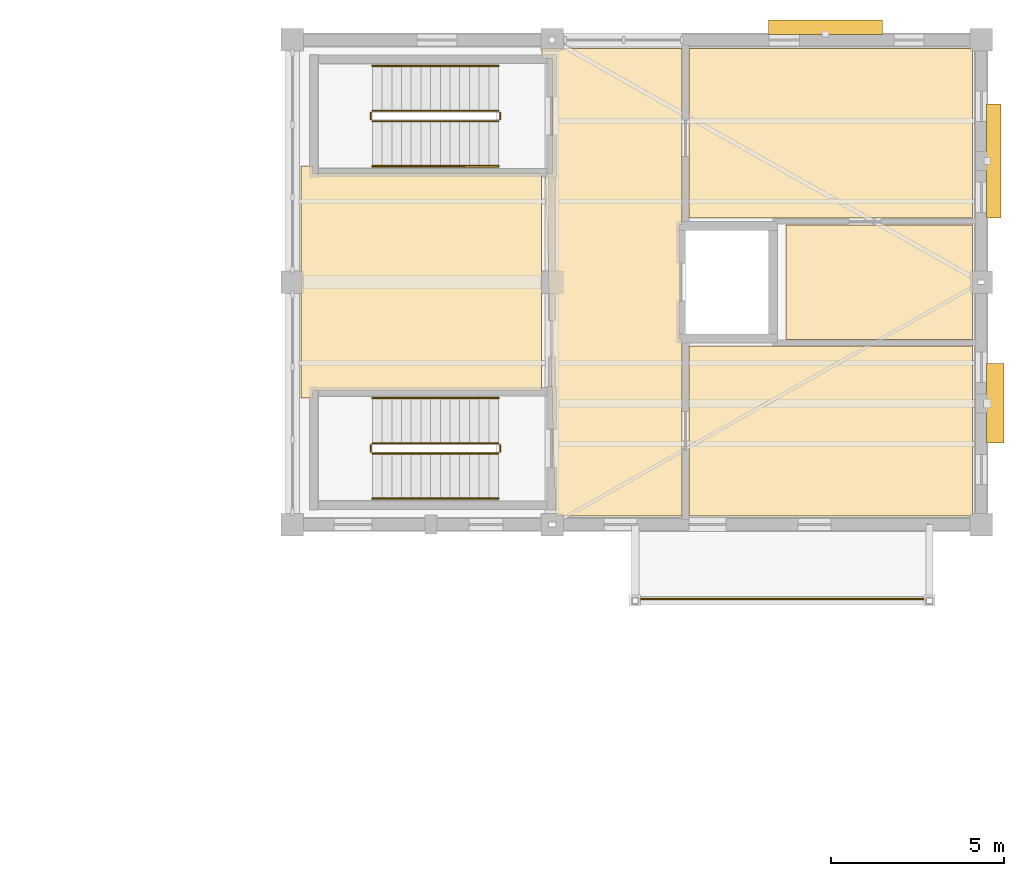
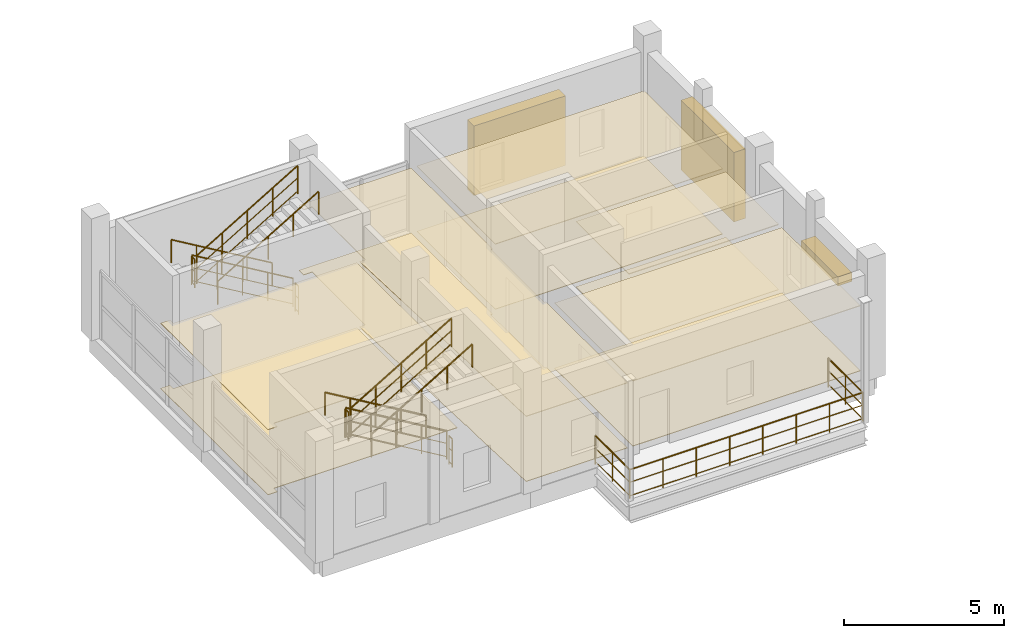
# One storey, part 40 of 40: 13 railings, 10 coverings, 3 shading devices.
"""IFC4 building model written with IfcOpenShell, lengths in metres."""

from ifc_helpers import new_model, si_unit, direction, frame, origin, origin_2d, place, context, subcontext, project, spatial, polyline, rectangle, circle, outline, extrude, material, layer, layer_set, type_object, element, save


model = new_model("IFC4")

# Units and contexts
model_context = context("Model", 3, precision=1e-05, world=origin(), true_north=direction((0.0, 1.0)))
body_context = subcontext(model_context, "Body", "Model", "MODEL_VIEW")
ifc_project = project(units=[si_unit("LENGTHUNIT", "METRE"), si_unit("AREAUNIT", "SQUARE_METRE"), si_unit("VOLUMEUNIT", "CUBIC_METRE"), si_unit("PLANEANGLEUNIT", "RADIAN"), si_unit("MASSUNIT", "GRAM", prefix="KILO")], contexts=[model_context])

# Site, building, storey
site_placement = place(None, origin())
site = spatial("IfcSite", under=ifc_project, at=site_placement, CompositionType="ELEMENT")
building_placement = place(site_placement, origin())
building = spatial("IfcBuilding", under=site, at=building_placement, Name="Trellovar Central Fire Station", CompositionType="ELEMENT")
storey_placement = place(building_placement, frame((0.0, 0.0, 12.75)))
storey = spatial("IfcBuildingStorey", under=building, at=storey_placement, Name="L04", CompositionType="ELEMENT", Elevation=12.75)

# Coverings
ifc_material_1 = material(Name="Perforated acoustic mineral fiber ceiling tile", Category="mineral")
ifc_layer_1 = layer(ifc_material_1, 0.02490234375)
ifc_layer_set_1 = layer_set([ifc_layer_1], Name="Perforated acoustic mineral fiber ceiling tile")
covering_type_1 = type_object("IfcCoveringType", Name="COV-CLG1", PredefinedType="CEILING", material=ifc_layer_set_1)
covering_1_placement = place(storey_placement, frame((0.0, 0.0, 2.47998046875)))
element("IfcCovering", 1, at=covering_1_placement, inside=storey, type_object=covering_type_1, Name="Drill Tower Level Four Lobby suspended ceiling", PredefinedType="CEILING", context=body_context, shape_type="SweptSolid", body=[
    extrude(outline(polyline([(148.610107421875, 72.4599609375), (148.30908203125, 72.4599609375), (148.300048828125, 72.75), (152.35009765625, 72.75), (152.35009765625, 67.659912109375), (152.2900390625, 67.659912109375), (152.2900390625, 64.340087890625), (152.35009765625, 64.340087890625), (152.35009765625, 59.25), (148.699951171875, 59.25), (148.610107421875, 62.287109375), (148.610107421875, 62.860107421875), (148.593017578125, 62.860107421875), (148.406982421875, 69.139892578125), (148.610107421875, 69.139892578125), (148.610107421875, 72.4599609375)])), origin(), (0.0, 0.0, 1.0), 0.02490234375),
])
covering_2_placement = place(storey_placement, frame((0.0, 0.0, 2.47998046875)))
element("IfcCovering", 2, at=covering_2_placement, inside=storey, type_object=covering_type_1, Name="Sprinkler Riser and Valve Lab suspended ceiling", PredefinedType="CEILING", context=body_context, shape_type="SweptSolid", body=[
    extrude(outline(polyline([(141.68994140625, 62.860107421875), (141.68994140625, 62.64990234375), (141.35009765625, 62.64990234375), (141.35009765625, 69.35009765625), (141.68994140625, 69.35009765625), (141.68994140625, 69.139892578125), (148.300048828125, 69.139892578125), (148.300048828125, 62.860107421875), (141.68994140625, 62.860107421875)])), origin(), (0.0, 0.0, 1.0), 0.02490234375),
])
covering_3_placement = place(storey_placement, frame((0.0, 0.0, 2.47998046875)))
element("IfcCovering", 3, at=covering_3_placement, inside=storey, type_object=covering_type_1, Name="Ladder Evolution Rappel Deck L04 suspended ceiling", PredefinedType="CEILING", context=body_context, shape_type="SweptSolid", body=[
    extrude(outline(polyline([(160.75, 64.14990234375), (160.75, 59.25), (152.550048828125, 59.25), (152.550048828125, 64.14990234375), (160.75, 64.14990234375)])), origin(), (0.0, 0.0, 1.0), 0.02490234375),
])
covering_4_placement = place(storey_placement, frame((0.0, 0.0, 2.47998046875)))
element("IfcCovering", 4, at=covering_4_placement, inside=storey, type_object=covering_type_1, Name="Breathing Air Cascade Refill Station suspended ceiling", PredefinedType="CEILING", context=body_context, shape_type="SweptSolid", body=[
    extrude(outline(polyline([(160.75, 72.75), (160.75, 67.85009765625), (152.550048828125, 67.85009765625), (152.550048828125, 72.75), (160.75, 72.75)])), origin(), (0.0, 0.0, 1.0), 0.02490234375),
])
ifc_material_2 = material(Name="Moisture-resistant gypsum ceiling board", Category="gypsum")
ifc_layer_2 = layer(ifc_material_2, 0.030029296875)
ifc_layer_set_2 = layer_set([ifc_layer_2], Name="Moisture-resistant gypsum ceiling board")
covering_type_2 = type_object("IfcCoveringType", Name="COV-CLG2", PredefinedType="CEILING", material=ifc_layer_set_2)
covering_5_placement = place(storey_placement, frame((0.0, 0.0, 2.47998046875)))
element("IfcCovering", 5, at=covering_5_placement, inside=storey, type_object=covering_type_2, Name="Tower Level Four Restroom suspended ceiling", PredefinedType="CEILING", context=body_context, shape_type="SweptSolid", body=[
    extrude(outline(polyline([(160.75, 67.64990234375), (160.75, 64.35009765625), (155.35009765625, 64.35009765625), (155.35009765625, 67.64990234375), (160.75, 67.64990234375)])), origin(), (0.0, 0.0, 1.0), 0.030029296875),
])
ifc_material_3 = material(Name="Vitrified Catalan ceramic floor tile", Category="masonry")
ifc_layer_3 = layer(ifc_material_3, 0.01806640625)
ifc_layer_set_3 = layer_set([ifc_layer_3], Name="Vitrified Catalan ceramic floor tile")
covering_type_3 = type_object("IfcCoveringType", Name="COV-FLR2", PredefinedType="FLOORING", material=ifc_layer_set_3)
covering_6_placement = place(storey_placement, origin())
element("IfcCovering", 6, at=covering_6_placement, inside=storey, type_object=covering_type_3, Name="Drill Tower Level Four Lobby floor finish", PredefinedType="FLOORING", context=body_context, shape_type="SweptSolid", body=[
    extrude(outline(polyline([(148.610107421875, 72.4599609375), (148.30908203125, 72.4599609375), (148.300048828125, 72.75), (152.35009765625, 72.75), (152.35009765625, 67.659912109375), (152.2900390625, 67.659912109375), (152.2900390625, 64.340087890625), (152.35009765625, 64.340087890625), (152.35009765625, 59.25), (148.699951171875, 59.25), (148.610107421875, 62.287109375), (148.610107421875, 62.860107421875), (148.593017578125, 62.860107421875), (148.406982421875, 69.139892578125), (148.610107421875, 69.139892578125), (148.610107421875, 72.4599609375)])), origin(), (0.0, 0.0, 1.0), 0.01806640625),
])
covering_7_placement = place(storey_placement, origin())
element("IfcCovering", 7, at=covering_7_placement, inside=storey, type_object=covering_type_3, Name="Breathing Air Cascade Refill Station floor finish", PredefinedType="FLOORING", context=body_context, shape_type="SweptSolid", body=[
    extrude(outline(polyline([(160.75, 72.75), (160.75, 67.85009765625), (152.550048828125, 67.85009765625), (152.550048828125, 72.75), (160.75, 72.75)])), origin(), (0.0, 0.0, 1.0), 0.01806640625),
])
covering_8_placement = place(storey_placement, origin())
element("IfcCovering", 8, at=covering_8_placement, inside=storey, type_object=covering_type_3, Name="Tower Level Four Restroom floor finish", PredefinedType="FLOORING", context=body_context, shape_type="SweptSolid", body=[
    extrude(outline(polyline([(160.75, 67.64990234375), (160.75, 64.35009765625), (155.35009765625, 64.35009765625), (155.35009765625, 67.64990234375), (160.75, 67.64990234375)])), origin(), (0.0, 0.0, 1.0), 0.01806640625),
])
ifc_material_4 = material(Name="Resilient athletic impact rubber flooring", Category="finish")
ifc_layer_4 = layer(ifc_material_4, 0.02001953125)
ifc_layer_set_4 = layer_set([ifc_layer_4], Name="Resilient athletic impact rubber flooring")
covering_type_4 = type_object("IfcCoveringType", Name="COV-FLR3", PredefinedType="FLOORING", material=ifc_layer_set_4)
covering_9_placement = place(storey_placement, origin())
element("IfcCovering", 9, at=covering_9_placement, inside=storey, type_object=covering_type_4, Name="Sprinkler Riser and Valve Lab floor finish", PredefinedType="FLOORING", context=body_context, shape_type="SweptSolid", body=[
    extrude(outline(polyline([(141.68994140625, 62.860107421875), (141.68994140625, 62.64990234375), (141.35009765625, 62.64990234375), (141.35009765625, 69.35009765625), (141.68994140625, 69.35009765625), (141.68994140625, 69.139892578125), (148.300048828125, 69.139892578125), (148.300048828125, 62.860107421875), (141.68994140625, 62.860107421875)])), origin(), (0.0, 0.0, 1.0), 0.02001953125),
])
covering_10_placement = place(storey_placement, origin())
element("IfcCovering", 10, at=covering_10_placement, inside=storey, type_object=covering_type_4, Name="Ladder Evolution Rappel Deck L04 floor finish", PredefinedType="FLOORING", context=body_context, shape_type="SweptSolid", body=[
    extrude(outline(polyline([(160.75, 64.14990234375), (160.75, 59.25), (152.550048828125, 59.25), (152.550048828125, 64.14990234375), (160.75, 64.14990234375)])), origin(), (0.0, 0.0, 1.0), 0.02001953125),
])

# Railings
ifc_material_5 = material(Name="Patina bronze wrought metalwork", Category="metal")
ifc_layer_5 = layer(ifc_material_5, 0.06005859375)
ifc_layer_set_5 = layer_set([ifc_layer_5], Name="Patina bronze wrought metalwork")
railing_type_1 = type_object("IfcRailingType", Name="RL-GUARD1", PredefinedType="GUARDRAIL", material=ifc_layer_set_5)
railing_1_placement = place(storey_placement, frame((151.050048828125, 59.0, 0.0)))
element("IfcRailing", 11, at=railing_1_placement, inside=storey, type_object=railing_type_1, Name="V2 L04 rappel evolution balcony guardrail", PredefinedType="GUARDRAIL", context=body_context, shape_type="SweptSolid", body=[
    extrude(circle(Radius=0.02392578125, at=origin_2d()), frame((0.0, 0.0, 1.09619140625), z_axis=(0.0, -1.0, 0.0), x_axis=(1.0, 0.0, 0.0)), (0.0, 0.0, 1.0), 2.14990234375),
    extrude(circle(Radius=0.015625, at=origin_2d()), frame((0.0, 0.0, 0.10009765625), z_axis=(0.0, -1.0, 0.0), x_axis=(1.0, 0.0, 0.0)), (0.0, 0.0, 1.0), 2.14990234375),
    extrude(circle(Radius=0.015625, at=origin_2d()), frame((0.0, 0.0, 0.615966796875), z_axis=(0.0, -1.0, 0.0), x_axis=(1.0, 0.0, 0.0)), (0.0, 0.0, 1.0), 2.14990234375),
    extrude(circle(Radius=0.02392578125, at=origin_2d()), frame((0.0, -2.14990234375, 1.09619140625), z_axis=(1.0, 0.0, 0.0), x_axis=(0.0, 1.0, 0.0)), (0.0, 0.0, 1.0), 8.39990234375),
    extrude(circle(Radius=0.015625, at=origin_2d()), frame((0.0, -2.14990234375, 0.10009765625), z_axis=(1.0, 0.0, 0.0), x_axis=(0.0, 1.0, 0.0)), (0.0, 0.0, 1.0), 8.39990234375),
    extrude(circle(Radius=0.015625, at=origin_2d()), frame((0.0, -2.14990234375, 0.615966796875), z_axis=(1.0, 0.0, 0.0), x_axis=(0.0, 1.0, 0.0)), (0.0, 0.0, 1.0), 8.39990234375),
    extrude(circle(Radius=0.02392578125, at=origin_2d()), frame((8.39990234375, -2.14990234375, 1.09619140625), z_axis=(0.0, 1.0, 0.0), x_axis=(-1.0, 0.0, 0.0)), (0.0, 0.0, 1.0), 2.14990234375),
    extrude(circle(Radius=0.015625, at=origin_2d()), frame((8.39990234375, -2.14990234375, 0.10009765625), z_axis=(0.0, 1.0, 0.0), x_axis=(-1.0, 0.0, 0.0)), (0.0, 0.0, 1.0), 2.14990234375),
    extrude(circle(Radius=0.015625, at=origin_2d()), frame((8.39990234375, -2.14990234375, 0.615966796875), z_axis=(0.0, 1.0, 0.0), x_axis=(-1.0, 0.0, 0.0)), (0.0, 0.0, 1.0), 2.14990234375),
    extrude(circle(Radius=0.02099609375, at=origin_2d()), origin(), (0.0, 0.0, 1.0), 1.072021484375),
    extrude(circle(Radius=0.02099609375, at=origin_2d()), frame((0.0, -1.074951171875, 0.0)), (0.0, 0.0, 1.0), 1.072021484375),
    extrude(circle(Radius=0.02099609375, at=origin_2d()), frame((0.0, -2.14990234375, 0.0)), (0.0, 0.0, 1.0), 1.072021484375),
    extrude(circle(Radius=0.02099609375, at=origin_2d()), frame((1.199951171875, -2.14990234375, 0.0)), (0.0, 0.0, 1.0), 1.072021484375),
    extrude(circle(Radius=0.02099609375, at=origin_2d()), frame((2.39990234375, -2.14990234375, 0.0)), (0.0, 0.0, 1.0), 1.072021484375),
    extrude(circle(Radius=0.02099609375, at=origin_2d()), frame((3.599853515625, -2.14990234375, 0.0)), (0.0, 0.0, 1.0), 1.072021484375),
    extrude(circle(Radius=0.02099609375, at=origin_2d()), frame((4.800048828125, -2.14990234375, 0.0)), (0.0, 0.0, 1.0), 1.072021484375),
    extrude(circle(Radius=0.02099609375, at=origin_2d()), frame((6.0, -2.14990234375, 0.0)), (0.0, 0.0, 1.0), 1.072021484375),
    extrude(circle(Radius=0.02099609375, at=origin_2d()), frame((7.199951171875, -2.14990234375, 0.0)), (0.0, 0.0, 1.0), 1.072021484375),
    extrude(circle(Radius=0.02099609375, at=origin_2d()), frame((8.39990234375, -2.14990234375, 0.0)), (0.0, 0.0, 1.0), 1.072021484375),
    extrude(circle(Radius=0.02099609375, at=origin_2d()), frame((8.39990234375, -1.074951171875, 0.0)), (0.0, 0.0, 1.0), 1.072021484375),
    extrude(circle(Radius=0.02099609375, at=origin_2d()), frame((8.39990234375, 0.0, 0.0)), (0.0, 0.0, 1.0), 1.072021484375),
])
ifc_material_6 = material(Name="Patina bronze wrought metalwork", Category="metal")
ifc_layer_6 = layer(ifc_material_6, 0.048095703125)
ifc_layer_set_6 = layer_set([ifc_layer_6], Name="Patina bronze wrought metalwork")
railing_type_2 = type_object("IfcRailingType", Name="RL-STAIR", PredefinedType="HANDRAIL", material=ifc_layer_set_6)
railing_2_placement = place(storey_placement, frame((147.050048828125, 62.64990234375, 0.166015625)))
element("IfcRailing", 12, at=railing_2_placement, inside=storey, type_object=railing_type_2, Name="L04 ST-05 stair handrail 1", PredefinedType="HANDRAIL", context=body_context, shape_type="SweptSolid", body=[
    extrude(circle(Radius=0.02392578125, at=origin_2d()), frame((0.0, 0.0, 0.8759765625), z_axis=(-0.860103130531, 0.0, 0.510120186672), x_axis=(0.0, -1.0, 0.0)), (0.0, 0.0, 1.0), 4.232177734375),
    extrude(circle(Radius=0.02099609375, at=origin_2d()), origin(), (0.0, 0.0, 1.0), 0.851806640625),
    extrude(circle(Radius=0.02099609375, at=origin_2d()), frame((-0.91015625, 0.0, 0.539794921875)), (0.0, 0.0, 1.0), 0.851806640625),
    extrude(circle(Radius=0.02099609375, at=origin_2d()), frame((-1.820068359375, 0.0, 1.07958984375)), (0.0, 0.0, 1.0), 0.851806640625),
    extrude(circle(Radius=0.02099609375, at=origin_2d()), frame((-2.72998046875, 0.0, 1.619140625)), (0.0, 0.0, 1.0), 0.851806640625),
    extrude(circle(Radius=0.02099609375, at=origin_2d()), frame((-3.64013671875, 0.0, 2.158935546875)), (0.0, 0.0, 1.0), 0.851806640625),
])
railing_3_placement = place(storey_placement, frame((143.409912109375, 59.75, 2.490966796875)))
element("IfcRailing", 13, at=railing_3_placement, inside=storey, type_object=railing_type_2, Name="L04 ST-05 stair handrail 2", PredefinedType="HANDRAIL", context=body_context, shape_type="SweptSolid", body=[
    extrude(circle(Radius=0.02392578125, at=origin_2d()), frame((0.0, 0.0, 0.8759765625), z_axis=(0.860103130531, 0.0, 0.510120186672), x_axis=(0.0, 1.0, 0.0)), (0.0, 0.0, 1.0), 4.232177734375),
    extrude(circle(Radius=0.02099609375, at=origin_2d()), origin(), (0.0, 0.0, 1.0), 0.851806640625),
    extrude(circle(Radius=0.02099609375, at=origin_2d()), frame((0.91015625, 0.0, 0.539794921875)), (0.0, 0.0, 1.0), 0.851806640625),
    extrude(circle(Radius=0.02099609375, at=origin_2d()), frame((1.820068359375, 0.0, 1.07958984375)), (0.0, 0.0, 1.0), 0.851806640625),
    extrude(circle(Radius=0.02099609375, at=origin_2d()), frame((2.72998046875, 0.0, 1.619140625)), (0.0, 0.0, 1.0), 0.851806640625),
    extrude(circle(Radius=0.02099609375, at=origin_2d()), frame((3.64013671875, 0.0, 2.158935546875)), (0.0, 0.0, 1.0), 0.851806640625),
])
railing_4_placement = place(storey_placement, frame((147.050048828125, 72.25, 0.166015625)))
element("IfcRailing", 14, at=railing_4_placement, inside=storey, type_object=railing_type_2, Name="L04 ST-06 stair handrail 1", PredefinedType="HANDRAIL", context=body_context, shape_type="SweptSolid", body=[
    extrude(circle(Radius=0.02392578125, at=origin_2d()), frame((0.0, 0.0, 0.8759765625), z_axis=(-0.860103130531, 0.0, 0.510120186672), x_axis=(0.0, -1.0, 0.0)), (0.0, 0.0, 1.0), 4.232177734375),
    extrude(circle(Radius=0.02099609375, at=origin_2d()), origin(), (0.0, 0.0, 1.0), 0.851806640625),
    extrude(circle(Radius=0.02099609375, at=origin_2d()), frame((-0.91015625, 0.0, 0.539794921875)), (0.0, 0.0, 1.0), 0.851806640625),
    extrude(circle(Radius=0.02099609375, at=origin_2d()), frame((-1.820068359375, 0.0, 1.07958984375)), (0.0, 0.0, 1.0), 0.851806640625),
    extrude(circle(Radius=0.02099609375, at=origin_2d()), frame((-2.72998046875, 0.0, 1.619140625)), (0.0, 0.0, 1.0), 0.851806640625),
    extrude(circle(Radius=0.02099609375, at=origin_2d()), frame((-3.64013671875, 0.0, 2.158935546875)), (0.0, 0.0, 1.0), 0.851806640625),
])
railing_5_placement = place(storey_placement, frame((143.409912109375, 69.35009765625, 2.490966796875)))
element("IfcRailing", 15, at=railing_5_placement, inside=storey, type_object=railing_type_2, Name="L04 ST-06 stair handrail 2", PredefinedType="HANDRAIL", context=body_context, shape_type="SweptSolid", body=[
    extrude(circle(Radius=0.02392578125, at=origin_2d()), frame((0.0, 0.0, 0.8759765625), z_axis=(0.860103130531, 0.0, 0.510120186672), x_axis=(0.0, 1.0, 0.0)), (0.0, 0.0, 1.0), 4.232177734375),
    extrude(circle(Radius=0.02099609375, at=origin_2d()), origin(), (0.0, 0.0, 1.0), 0.851806640625),
    extrude(circle(Radius=0.02099609375, at=origin_2d()), frame((0.91015625, 0.0, 0.539794921875)), (0.0, 0.0, 1.0), 0.851806640625),
    extrude(circle(Radius=0.02099609375, at=origin_2d()), frame((1.820068359375, 0.0, 1.07958984375)), (0.0, 0.0, 1.0), 0.851806640625),
    extrude(circle(Radius=0.02099609375, at=origin_2d()), frame((2.72998046875, 0.0, 1.619140625)), (0.0, 0.0, 1.0), 0.851806640625),
    extrude(circle(Radius=0.02099609375, at=origin_2d()), frame((3.64013671875, 0.0, 2.158935546875)), (0.0, 0.0, 1.0), 0.851806640625),
])
ifc_material_7 = material(Name="Patina bronze wrought metalwork", Category="metal")
ifc_layer_7 = layer(ifc_material_7, 0.050048828125)
ifc_layer_set_7 = layer_set([ifc_layer_7], Name="Patina bronze wrought metalwork")
railing_type_3 = type_object("IfcRailingType", Name="RL-STGUARD", PredefinedType="GUARDRAIL", material=ifc_layer_set_7)
railing_6_placement = place(storey_placement, frame((147.050048828125, 61.35009765625, 0.166015625)))
element("IfcRailing", 16, at=railing_6_placement, inside=storey, type_object=railing_type_3, Name="L04 ST-05 stair guard 1", PredefinedType="GUARDRAIL", context=body_context, shape_type="SweptSolid", body=[
    extrude(circle(Radius=0.02392578125, at=origin_2d()), frame((0.0, 0.0, 1.076171875), z_axis=(-0.860103130531, 0.0, 0.510120186672), x_axis=(0.0, -1.0, 0.0)), (0.0, 0.0, 1.0), 4.232177734375),
    extrude(circle(Radius=0.015625, at=origin_2d()), frame((0.0, 0.0, 0.10009765625), z_axis=(-0.860103130531, 0.0, 0.510120186672), x_axis=(0.0, -1.0, 0.0)), (0.0, 0.0, 1.0), 4.232177734375),
    extrude(circle(Radius=0.015625, at=origin_2d()), frame((0.0, 0.0, 0.60498046875), z_axis=(-0.860103130531, 0.0, 0.510120186672), x_axis=(0.0, -1.0, 0.0)), (0.0, 0.0, 1.0), 4.232177734375),
    extrude(circle(Radius=0.02099609375, at=origin_2d()), origin(), (0.0, 0.0, 1.0), 1.052001953125),
    extrude(circle(Radius=0.02099609375, at=origin_2d()), frame((-0.91015625, 0.0, 0.539794921875)), (0.0, 0.0, 1.0), 1.052001953125),
    extrude(circle(Radius=0.02099609375, at=origin_2d()), frame((-1.820068359375, 0.0, 1.07958984375)), (0.0, 0.0, 1.0), 1.052001953125),
    extrude(circle(Radius=0.02099609375, at=origin_2d()), frame((-2.72998046875, 0.0, 1.619140625)), (0.0, 0.0, 1.0), 1.052001953125),
    extrude(circle(Radius=0.02099609375, at=origin_2d()), frame((-3.64013671875, 0.0, 2.158935546875)), (0.0, 0.0, 1.0), 1.052001953125),
])
railing_7_placement = place(storey_placement, frame((143.360107421875, 61.300048828125, 2.324951171875)))
element("IfcRailing", 17, at=railing_7_placement, inside=storey, type_object=railing_type_3, Name="L04 ST-05 stair guard 2", PredefinedType="GUARDRAIL", context=body_context, shape_type="SweptSolid", body=[
    extrude(circle(Radius=0.02392578125, at=origin_2d()), frame((0.0, 0.0, 1.076171875), z_axis=(0.0, -1.0, 0.0), x_axis=(1.0, 0.0, 0.0)), (0.0, 0.0, 1.0), 0.199951171875),
    extrude(circle(Radius=0.015625, at=origin_2d()), frame((0.0, 0.0, 0.10009765625), z_axis=(0.0, -1.0, 0.0), x_axis=(1.0, 0.0, 0.0)), (0.0, 0.0, 1.0), 0.199951171875),
    extrude(circle(Radius=0.015625, at=origin_2d()), frame((0.0, 0.0, 0.60498046875), z_axis=(0.0, -1.0, 0.0), x_axis=(1.0, 0.0, 0.0)), (0.0, 0.0, 1.0), 0.199951171875),
    extrude(circle(Radius=0.02099609375, at=origin_2d()), origin(), (0.0, 0.0, 1.0), 1.052001953125),
    extrude(circle(Radius=0.02099609375, at=origin_2d()), frame((0.0, -0.199951171875, 0.0)), (0.0, 0.0, 1.0), 1.052001953125),
])
railing_8_placement = place(storey_placement, frame((143.409912109375, 61.050048828125, 2.490966796875)))
element("IfcRailing", 18, at=railing_8_placement, inside=storey, type_object=railing_type_3, Name="L04 ST-05 stair guard 3", PredefinedType="GUARDRAIL", context=body_context, shape_type="SweptSolid", body=[
    extrude(circle(Radius=0.02392578125, at=origin_2d()), frame((0.0, 0.0, 1.076171875), z_axis=(0.860103130531, 0.0, 0.510120186672), x_axis=(0.0, 1.0, 0.0)), (0.0, 0.0, 1.0), 4.232177734375),
    extrude(circle(Radius=0.015625, at=origin_2d()), frame((0.0, 0.0, 0.10009765625), z_axis=(0.860103130531, 0.0, 0.510120186672), x_axis=(0.0, 1.0, 0.0)), (0.0, 0.0, 1.0), 4.232177734375),
    extrude(circle(Radius=0.015625, at=origin_2d()), frame((0.0, 0.0, 0.60498046875), z_axis=(0.860103130531, 0.0, 0.510120186672), x_axis=(0.0, 1.0, 0.0)), (0.0, 0.0, 1.0), 4.232177734375),
    extrude(circle(Radius=0.02099609375, at=origin_2d()), origin(), (0.0, 0.0, 1.0), 1.052001953125),
    extrude(circle(Radius=0.02099609375, at=origin_2d()), frame((0.91015625, 0.0, 0.539794921875)), (0.0, 0.0, 1.0), 1.052001953125),
    extrude(circle(Radius=0.02099609375, at=origin_2d()), frame((1.820068359375, 0.0, 1.07958984375)), (0.0, 0.0, 1.0), 1.052001953125),
    extrude(circle(Radius=0.02099609375, at=origin_2d()), frame((2.72998046875, 0.0, 1.619140625)), (0.0, 0.0, 1.0), 1.052001953125),
    extrude(circle(Radius=0.02099609375, at=origin_2d()), frame((3.64013671875, 0.0, 2.158935546875)), (0.0, 0.0, 1.0), 1.052001953125),
])
railing_9_placement = place(storey_placement, frame((147.10009765625, 61.300048828125, 0.0)))
element("IfcRailing", 19, at=railing_9_placement, inside=storey, type_object=railing_type_3, Name="L04 ST-05 stair guard 4", PredefinedType="GUARDRAIL", context=body_context, shape_type="SweptSolid", body=[
    extrude(circle(Radius=0.02392578125, at=origin_2d()), frame((0.0, 0.0, 1.076171875), z_axis=(0.0, -1.0, 0.0), x_axis=(1.0, 0.0, 0.0)), (0.0, 0.0, 1.0), 0.199951171875),
    extrude(circle(Radius=0.015625, at=origin_2d()), frame((0.0, 0.0, 0.10009765625), z_axis=(0.0, -1.0, 0.0), x_axis=(1.0, 0.0, 0.0)), (0.0, 0.0, 1.0), 0.199951171875),
    extrude(circle(Radius=0.015625, at=origin_2d()), frame((0.0, 0.0, 0.60498046875), z_axis=(0.0, -1.0, 0.0), x_axis=(1.0, 0.0, 0.0)), (0.0, 0.0, 1.0), 0.199951171875),
    extrude(circle(Radius=0.02099609375, at=origin_2d()), origin(), (0.0, 0.0, 1.0), 1.052001953125),
    extrude(circle(Radius=0.02099609375, at=origin_2d()), frame((0.0, -0.199951171875, 0.0)), (0.0, 0.0, 1.0), 1.052001953125),
])
railing_10_placement = place(storey_placement, frame((147.050048828125, 70.949951171875, 0.166015625)))
element("IfcRailing", 20, at=railing_10_placement, inside=storey, type_object=railing_type_3, Name="L04 ST-06 stair guard 1", PredefinedType="GUARDRAIL", context=body_context, shape_type="SweptSolid", body=[
    extrude(circle(Radius=0.02392578125, at=origin_2d()), frame((0.0, 0.0, 1.076171875), z_axis=(-0.860103130531, 0.0, 0.510120186672), x_axis=(0.0, -1.0, 0.0)), (0.0, 0.0, 1.0), 4.232177734375),
    extrude(circle(Radius=0.015625, at=origin_2d()), frame((0.0, 0.0, 0.10009765625), z_axis=(-0.860103130531, 0.0, 0.510120186672), x_axis=(0.0, -1.0, 0.0)), (0.0, 0.0, 1.0), 4.232177734375),
    extrude(circle(Radius=0.015625, at=origin_2d()), frame((0.0, 0.0, 0.60498046875), z_axis=(-0.860103130531, 0.0, 0.510120186672), x_axis=(0.0, -1.0, 0.0)), (0.0, 0.0, 1.0), 4.232177734375),
    extrude(circle(Radius=0.02099609375, at=origin_2d()), origin(), (0.0, 0.0, 1.0), 1.052001953125),
    extrude(circle(Radius=0.02099609375, at=origin_2d()), frame((-0.91015625, 0.0, 0.539794921875)), (0.0, 0.0, 1.0), 1.052001953125),
    extrude(circle(Radius=0.02099609375, at=origin_2d()), frame((-1.820068359375, 0.0, 1.07958984375)), (0.0, 0.0, 1.0), 1.052001953125),
    extrude(circle(Radius=0.02099609375, at=origin_2d()), frame((-2.72998046875, 0.0, 1.619140625)), (0.0, 0.0, 1.0), 1.052001953125),
    extrude(circle(Radius=0.02099609375, at=origin_2d()), frame((-3.64013671875, 0.0, 2.158935546875)), (0.0, 0.0, 1.0), 1.052001953125),
])
railing_11_placement = place(storey_placement, frame((143.360107421875, 70.89990234375, 2.324951171875)))
element("IfcRailing", 21, at=railing_11_placement, inside=storey, type_object=railing_type_3, Name="L04 ST-06 stair guard 2", PredefinedType="GUARDRAIL", context=body_context, shape_type="SweptSolid", body=[
    extrude(circle(Radius=0.02392578125, at=origin_2d()), frame((0.0, 0.0, 1.076171875), z_axis=(0.0, -1.0, 0.0), x_axis=(1.0, 0.0, 0.0)), (0.0, 0.0, 1.0), 0.199951171875),
    extrude(circle(Radius=0.015625, at=origin_2d()), frame((0.0, 0.0, 0.10009765625), z_axis=(0.0, -1.0, 0.0), x_axis=(1.0, 0.0, 0.0)), (0.0, 0.0, 1.0), 0.199951171875),
    extrude(circle(Radius=0.015625, at=origin_2d()), frame((0.0, 0.0, 0.60498046875), z_axis=(0.0, -1.0, 0.0), x_axis=(1.0, 0.0, 0.0)), (0.0, 0.0, 1.0), 0.199951171875),
    extrude(circle(Radius=0.02099609375, at=origin_2d()), origin(), (0.0, 0.0, 1.0), 1.052001953125),
    extrude(circle(Radius=0.02099609375, at=origin_2d()), frame((0.0, -0.199951171875, 0.0)), (0.0, 0.0, 1.0), 1.052001953125),
])
railing_12_placement = place(storey_placement, frame((143.409912109375, 70.64990234375, 2.490966796875)))
element("IfcRailing", 22, at=railing_12_placement, inside=storey, type_object=railing_type_3, Name="L04 ST-06 stair guard 3", PredefinedType="GUARDRAIL", context=body_context, shape_type="SweptSolid", body=[
    extrude(circle(Radius=0.02392578125, at=origin_2d()), frame((0.0, 0.0, 1.076171875), z_axis=(0.860103130531, 0.0, 0.510120186672), x_axis=(0.0, 1.0, 0.0)), (0.0, 0.0, 1.0), 4.232177734375),
    extrude(circle(Radius=0.015625, at=origin_2d()), frame((0.0, 0.0, 0.10009765625), z_axis=(0.860103130531, 0.0, 0.510120186672), x_axis=(0.0, 1.0, 0.0)), (0.0, 0.0, 1.0), 4.232177734375),
    extrude(circle(Radius=0.015625, at=origin_2d()), frame((0.0, 0.0, 0.60498046875), z_axis=(0.860103130531, 0.0, 0.510120186672), x_axis=(0.0, 1.0, 0.0)), (0.0, 0.0, 1.0), 4.232177734375),
    extrude(circle(Radius=0.02099609375, at=origin_2d()), origin(), (0.0, 0.0, 1.0), 1.052001953125),
    extrude(circle(Radius=0.02099609375, at=origin_2d()), frame((0.91015625, 0.0, 0.539794921875)), (0.0, 0.0, 1.0), 1.052001953125),
    extrude(circle(Radius=0.02099609375, at=origin_2d()), frame((1.820068359375, 0.0, 1.07958984375)), (0.0, 0.0, 1.0), 1.052001953125),
    extrude(circle(Radius=0.02099609375, at=origin_2d()), frame((2.72998046875, 0.0, 1.619140625)), (0.0, 0.0, 1.0), 1.052001953125),
    extrude(circle(Radius=0.02099609375, at=origin_2d()), frame((3.64013671875, 0.0, 2.158935546875)), (0.0, 0.0, 1.0), 1.052001953125),
])
railing_13_placement = place(storey_placement, frame((147.10009765625, 70.89990234375, 0.0)))
element("IfcRailing", 23, at=railing_13_placement, inside=storey, type_object=railing_type_3, Name="L04 ST-06 stair guard 4", PredefinedType="GUARDRAIL", context=body_context, shape_type="SweptSolid", body=[
    extrude(circle(Radius=0.02392578125, at=origin_2d()), frame((0.0, 0.0, 1.076171875), z_axis=(0.0, -1.0, 0.0), x_axis=(1.0, 0.0, 0.0)), (0.0, 0.0, 1.0), 0.199951171875),
    extrude(circle(Radius=0.015625, at=origin_2d()), frame((0.0, 0.0, 0.10009765625), z_axis=(0.0, -1.0, 0.0), x_axis=(1.0, 0.0, 0.0)), (0.0, 0.0, 1.0), 0.199951171875),
    extrude(circle(Radius=0.015625, at=origin_2d()), frame((0.0, 0.0, 0.60498046875), z_axis=(0.0, -1.0, 0.0), x_axis=(1.0, 0.0, 0.0)), (0.0, 0.0, 1.0), 0.199951171875),
    extrude(circle(Radius=0.02099609375, at=origin_2d()), origin(), (0.0, 0.0, 1.0), 1.052001953125),
    extrude(circle(Radius=0.02099609375, at=origin_2d()), frame((0.0, -0.199951171875, 0.0)), (0.0, 0.0, 1.0), 1.052001953125),
])

# Shading devices
ifc_material_8 = material(Name="Glazed ceramic trencadis and terracotta panel", Category="masonry")
shading_device_type_1 = type_object("IfcShadingDeviceType", Name="SHD-LV1", PredefinedType="JALOUSIE", material=ifc_material_8)
shading_device_placement = place(storey_placement, frame((161.405029296875, 62.5, 1.830078125), z_axis=(0.0, 0.0, 1.0), x_axis=(0.0, 1.0, 0.0)))
element("IfcShadingDevice", 24, at=shading_device_placement, inside=storey, type_object=shading_device_type_1, Name="L04 Catalan solar brise-soleil LV-1", PredefinedType="JALOUSIE", context=body_context, shape_type="SweptSolid", body=[
    extrude(rectangle(XDim=2.300048828125, YDim=0.5, at=origin_2d()), origin(), (0.0, 0.0, 1.0), 0.340087890625),
])
ifc_material_9 = material(Name="Glazed ceramic trencadis and terracotta panel", Category="masonry")
shading_device_type_2 = type_object("IfcShadingDeviceType", Name="SHD-LV3", PredefinedType="JALOUSIE", material=ifc_material_9)
for number, where, z_axis, x_axis, name in (
    (25, (156.5, 73.364990234375, 0.324951171875), (0.0, 0.0, 1.0), (1.0, 0.0, 0.0), "L04 Catalan solar brise-soleil LV-3"),
    (26, (161.364990234375, 69.5, 0.324951171875), (0.0, 0.0, 1.0), (0.0, 1.0, 0.0), "L04 Catalan solar brise-soleil LV-3"),
):
    element("IfcShadingDevice", number, at=place(storey_placement, frame(where, z_axis=z_axis, x_axis=x_axis)), inside=storey, type_object=shading_device_type_2, Name=name, PredefinedType="JALOUSIE", context=body_context, shape_type="SweptSolid", body=[
        extrude(rectangle(XDim=3.300048828125, YDim=0.419921875, at=origin_2d()), origin(), (0.0, 0.0, 1.0), 2.64990234375),
    ])

save(model, "model.ifc")
